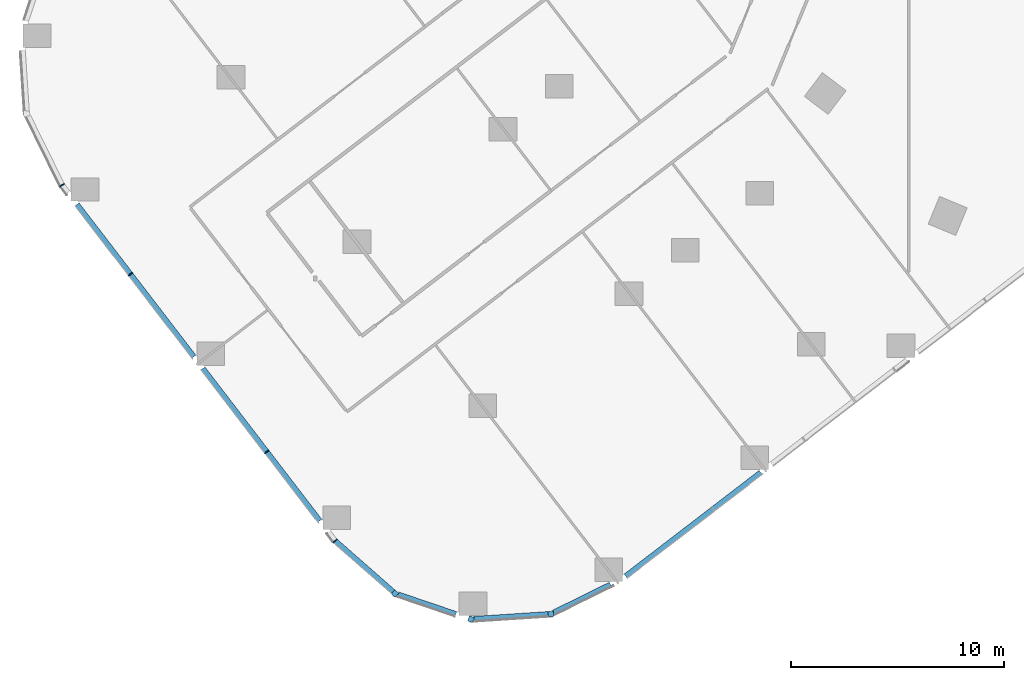
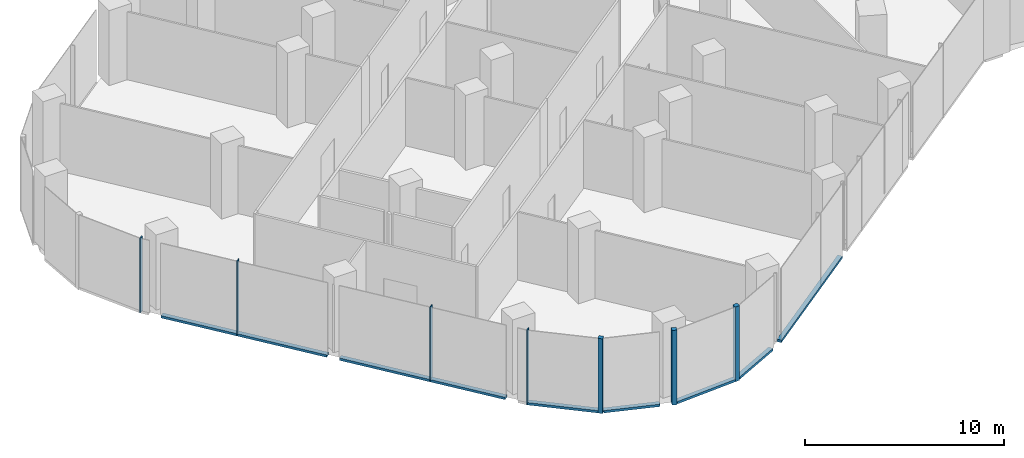
# One storey, part 2 of 30: 14 members, 7 elements without a shape of their own.
"""IFC4 building model written with IfcOpenShell, lengths in metres."""

from ifc_helpers import new_model, si_unit, direction, frame, origin, origin_2d, place, context, subcontext, project, spatial, rectangle, extrude, material, material_profile, profile_set, type_object, element, aggregate, save


model = new_model("IFC4")

# Units and contexts
model_context = context("Model", 3, precision=1e-05, world=origin(), true_north=direction((0.0, 1.0)))
body_context = subcontext(model_context, "Body", "Model", "MODEL_VIEW")
ifc_project = project(units=[si_unit("LENGTHUNIT", "METRE"), si_unit("AREAUNIT", "SQUARE_METRE"), si_unit("VOLUMEUNIT", "CUBIC_METRE"), si_unit("PLANEANGLEUNIT", "RADIAN"), si_unit("MASSUNIT", "GRAM", prefix="KILO")], contexts=[model_context])

# Site, building, storey
site_placement = place(None, origin())
site = spatial("IfcSite", under=ifc_project, at=site_placement, CompositionType="ELEMENT")
building_placement = place(site_placement, origin())
building = spatial("IfcBuilding", under=site, at=building_placement, Name="Orlundy Tower", CompositionType="ELEMENT")
storey_placement = place(building_placement, frame((0.0, 0.0, 20.5)))
storey = spatial("IfcBuildingStorey", under=building, at=storey_placement, Name="L03", CompositionType="ELEMENT", Elevation=20.5)

# Curtain wall, member
ifc_material_1 = material(Name="Aluminium bronze anodised", Category="aluminium")
curtain_wall_type = type_object("IfcCurtainWallType", Name="CW2 wall", PredefinedType="NOTDEFINED", material=ifc_material_1)
curtain_wall_1_placement = place(storey_placement, origin())
curtain_wall_1 = element("IfcCurtainWall", 1, at=curtain_wall_1_placement, inside=storey, type_object=curtain_wall_type, Name="CW2 run 04", PredefinedType="NOTDEFINED")
ifc_material_2 = material(Name="Aluminium bronze anodised", Category="aluminium")
ifc_material_profile_1 = material_profile(ifc_material_2, rectangle(XDim=0.25, YDim=0.25, at=origin_2d()), Name="CW2 corner post 250x250")
ifc_profile_set_1 = profile_set([ifc_material_profile_1], Name="Aluminium bronze anodised")
member_type_1 = type_object("IfcMemberType", Name="CW2 corner post 250x250", PredefinedType="MULLION", material=ifc_profile_set_1)
member_1_placement = place(storey_placement, frame((-30.783935546875, -48.068115234375, -0.39990234375), z_axis=(0.0, 0.0, 1.0), x_axis=(0.065283523877, -0.997866755389, 0.0)))
member_1 = element("IfcMember", 2, at=member_1_placement, type_object=member_type_1, Name="CW2 mullion 15", PredefinedType="MULLION", context=body_context, shape_type="SweptSolid", body=[
    extrude(rectangle(XDim=0.25, YDim=0.25, at=origin_2d()), origin(), (0.0, 0.0, 1.0), 4.579833984375),
])

curtain_wall_2_placement = place(storey_placement, origin())
curtain_wall_2 = element("IfcCurtainWall", 3, at=curtain_wall_2_placement, inside=storey, type_object=curtain_wall_type, Name="CW2 run 05", PredefinedType="NOTDEFINED")
member_2_placement = place(storey_placement, frame((-34.53271484375, -48.3134765625, -0.39990234375), z_axis=(0.0, 0.0, 1.0), x_axis=(-0.32132226688, -0.946969904911, 0.0)))
member_2 = element("IfcMember", 4, at=member_2_placement, type_object=member_type_1, Name="CW2 mullion 16", PredefinedType="MULLION", context=body_context, shape_type="SweptSolid", body=[
    extrude(rectangle(XDim=0.25, YDim=0.25, at=origin_2d()), origin(), (0.0, 0.0, 1.0), 4.579833984375),
])

curtain_wall_3_placement = place(storey_placement, origin())
curtain_wall_3 = element("IfcCurtainWall", 5, at=curtain_wall_3_placement, inside=storey, type_object=curtain_wall_type, Name="CW2 run 06", PredefinedType="NOTDEFINED")
member_3_placement = place(storey_placement, frame((-38.089599609375, -47.1064453125, -0.39990234375), z_axis=(0.0, 0.0, 1.0), x_axis=(-0.65932547196, -0.751857647447, 0.0)))
member_3 = element("IfcMember", 6, at=member_3_placement, type_object=member_type_1, Name="CW2 mullion 17", PredefinedType="MULLION", context=body_context, shape_type="SweptSolid", body=[
    extrude(rectangle(XDim=0.25, YDim=0.25, at=origin_2d()), origin(), (0.0, 0.0, 1.0), 4.579833984375),
])

# Curtain wall, members
curtain_wall_4_placement = place(storey_placement, origin())
curtain_wall_4 = element("IfcCurtainWall", 7, at=curtain_wall_4_placement, inside=storey, type_object=curtain_wall_type, Name="CW2 run 07", PredefinedType="NOTDEFINED")
ifc_material_3 = material(Name="Aluminium bronze anodised", Category="aluminium")
ifc_material_profile_2 = material_profile(ifc_material_3, rectangle(XDim=0.25, YDim=0.050048828125, at=origin_2d()), Name="CW2 mullion 50x250")
ifc_profile_set_2 = profile_set([ifc_material_profile_2], Name="Aluminium bronze anodised")
member_type_2 = type_object("IfcMemberType", Name="CW2 mullion 50x250", PredefinedType="MULLION", material=ifc_profile_set_2)
member_4_placement = place(storey_placement, frame((-40.90478515625, -44.637939453125, -0.39990234375), z_axis=(0.0, 0.0, 1.0), x_axis=(-0.72986044072, -0.683596179826, 0.0)))
member_4 = element("IfcMember", 8, at=member_4_placement, type_object=member_type_2, Name="CW2 mullion 18", PredefinedType="MULLION", context=body_context, shape_type="SweptSolid", body=[
    extrude(rectangle(XDim=0.25, YDim=0.050048828125, at=origin_2d()), origin(), (0.0, 0.0, 1.0), 4.579833984375),
])
member_5_placement = place(storey_placement, frame((-44.108154296875, -40.462890625, -0.39990234375), z_axis=(0.0, 0.0, 1.0), x_axis=(-0.793363342967, -0.608748393046, 0.0)))
member_5 = element("IfcMember", 9, at=member_5_placement, type_object=member_type_2, Name="CW2 mullion 19", PredefinedType="MULLION", context=body_context, shape_type="SweptSolid", body=[
    extrude(rectangle(XDim=0.25, YDim=0.050048828125, at=origin_2d()), origin(), (0.0, 0.0, 1.0), 4.579833984375),
])
member_6_placement = place(storey_placement, frame((-50.500244140625, -32.13232421875, -0.39990234375), z_axis=(0.0, 0.0, 1.0), x_axis=(-0.793363342967, -0.608748393046, 0.0)))
member_6 = element("IfcMember", 10, at=member_6_placement, type_object=member_type_2, Name="CW2 mullion 21", PredefinedType="MULLION", context=body_context, shape_type="SweptSolid", body=[
    extrude(rectangle(XDim=0.25, YDim=0.050048828125, at=origin_2d()), origin(), (0.0, 0.0, 1.0), 4.579833984375),
])

# Curtain wall, member
curtain_wall_5_placement = place(storey_placement, origin())
curtain_wall_5 = element("IfcCurtainWall", 11, at=curtain_wall_5_placement, inside=storey, type_object=curtain_wall_type, Name="CW2 run 08", PredefinedType="NOTDEFINED")
member_7_placement = place(storey_placement, frame((-53.70361328125, -27.957275390625, -0.39990234375), z_axis=(0.0, 0.0, 1.0), x_axis=(-0.849220282352, -0.528038741043, 0.0)))
member_7 = element("IfcMember", 12, at=member_7_placement, type_object=member_type_2, Name="CW2 mullion 22", PredefinedType="MULLION", context=body_context, shape_type="SweptSolid", body=[
    extrude(rectangle(XDim=0.25, YDim=0.050048828125, at=origin_2d()), origin(), (0.0, 0.0, 1.0), 4.579833984375),
])
aggregate(curtain_wall_5, [member_7])

curtain_wall_6_placement = place(storey_placement, origin())
curtain_wall_6 = element("IfcCurtainWall", 13, at=curtain_wall_6_placement, inside=storey, type_object=curtain_wall_type, Name="CW2 run 02", PredefinedType="NOTDEFINED")
ifc_material_4 = material(Name="Aluminium bronze anodised", Category="aluminium")
ifc_material_profile_3 = material_profile(ifc_material_4, rectangle(XDim=0.25, YDim=0.14990234375, at=origin_2d()), Name="CW2 transom 250x150")
ifc_profile_set_3 = profile_set([ifc_material_profile_3], Name="Aluminium bronze anodised")
member_type_3 = type_object("IfcMemberType", Name="CW2 transom 250x150", PredefinedType="USERDEFINED", material=ifc_profile_set_3)
member_8_placement = place(storey_placement, frame((-20.94140625, -41.43603515625, -0.324951171875), z_axis=(-0.793350219426, -0.608765496179, 0.0), x_axis=(0.608765496179, -0.793350219426, 0.0)))
member_8 = element("IfcMember", 14, at=member_8_placement, type_object=member_type_3, Name="CW2 transom", ObjectType="TRANSOM", PredefinedType="USERDEFINED", context=body_context, shape_type="SweptSolid", body=[
    extrude(rectangle(XDim=0.25, YDim=0.14990234375, at=origin_2d()), origin(), (0.0, 0.0, 1.0), 7.9794921875),
])
aggregate(curtain_wall_6, [member_8])

curtain_wall_7_placement = place(storey_placement, origin())
curtain_wall_7 = element("IfcCurtainWall", 15, at=curtain_wall_7_placement, inside=storey, type_object=curtain_wall_type, Name="CW2 run 03", PredefinedType="NOTDEFINED")
member_9_placement = place(storey_placement, frame((-27.98583984375, -46.68798828125, -0.324951171875), z_axis=(-0.896835308619, -0.442364588563, 0.0), x_axis=(0.442364588563, -0.896835308619, 0.0)))
member_9 = element("IfcMember", 16, at=member_9_placement, type_object=member_type_3, Name="CW2 transom", ObjectType="TRANSOM", PredefinedType="USERDEFINED", context=body_context, shape_type="SweptSolid", body=[
    extrude(rectangle(XDim=0.25, YDim=0.14990234375, at=origin_2d()), origin(), (0.0, 0.0, 1.0), 2.984619140625),
])
aggregate(curtain_wall_7, [member_9])

# Member
member_10_placement = place(storey_placement, frame((-30.90869140625, -48.076171875, -0.324951171875), z_axis=(-0.997866579537, -0.065286211732, 0.0), x_axis=(0.065286211732, -0.997866579537, 0.0)))
member_10 = element("IfcMember", 17, at=member_10_placement, type_object=member_type_3, Name="CW2 transom", ObjectType="TRANSOM", PredefinedType="USERDEFINED", context=body_context, shape_type="SweptSolid", body=[
    extrude(rectangle(XDim=0.25, YDim=0.14990234375, at=origin_2d()), origin(), (0.0, 0.0, 1.0), 3.49658203125),
])

aggregate(curtain_wall_1, [member_1, member_10])

member_11_placement = place(storey_placement, frame((-35.237060546875, -48.074462890625, -0.324951171875), z_axis=(-0.946963946424, 0.321339826622, 0.0), x_axis=(-0.321339826622, -0.946963946424, 0.0)))
member_11 = element("IfcMember", 18, at=member_11_placement, type_object=member_type_3, Name="CW2 transom", ObjectType="TRANSOM", PredefinedType="USERDEFINED", context=body_context, shape_type="SweptSolid", body=[
    extrude(rectangle(XDim=0.25, YDim=0.14990234375, at=origin_2d()), origin(), (0.0, 0.0, 1.0), 2.877197265625),
])

aggregate(curtain_wall_2, [member_2, member_11])

member_12_placement = place(storey_placement, frame((-38.18359375, -47.02392578125, -0.324951171875), z_axis=(-0.751886126811, 0.659292994281, 0.0), x_axis=(-0.659292994281, -0.751886126811, 0.0)))
member_12 = element("IfcMember", 19, at=member_12_placement, type_object=member_type_3, Name="CW2 transom", ObjectType="TRANSOM", PredefinedType="USERDEFINED", context=body_context, shape_type="SweptSolid", body=[
    extrude(rectangle(XDim=0.25, YDim=0.14990234375, at=origin_2d()), origin(), (0.0, 0.0, 1.0), 3.59375),
])

aggregate(curtain_wall_3, [member_3, member_12])

member_13_placement = place(storey_placement, frame((-41.6240234375, -43.700439453125, -0.324951171875), z_axis=(-0.6087433929, 0.793367179559, 0.0), x_axis=(-0.793367179559, -0.6087433929, 0.0)))
member_13 = element("IfcMember", 20, at=member_13_placement, type_object=member_type_3, Name="CW2 transom", ObjectType="TRANSOM", PredefinedType="USERDEFINED", context=body_context, shape_type="SweptSolid", body=[
    extrude(rectangle(XDim=0.25, YDim=0.14990234375, at=origin_2d()), origin(), (0.0, 0.0, 1.0), 9.00537109375),
])

member_14_placement = place(storey_placement, frame((-47.529052734375, -36.004638671875, -0.324951171875), z_axis=(-0.608744573287, 0.793366273857, 0.0), x_axis=(-0.793366273857, -0.608744573287, 0.0)))
member_14 = element("IfcMember", 21, at=member_14_placement, type_object=member_type_3, Name="CW2 transom", ObjectType="TRANSOM", PredefinedType="USERDEFINED", context=body_context, shape_type="SweptSolid", body=[
    extrude(rectangle(XDim=0.25, YDim=0.14990234375, at=origin_2d()), origin(), (0.0, 0.0, 1.0), 9.004150390625),
])

aggregate(curtain_wall_4, [member_4, member_5, member_6, member_13, member_14])

save(model, "model.ifc")
